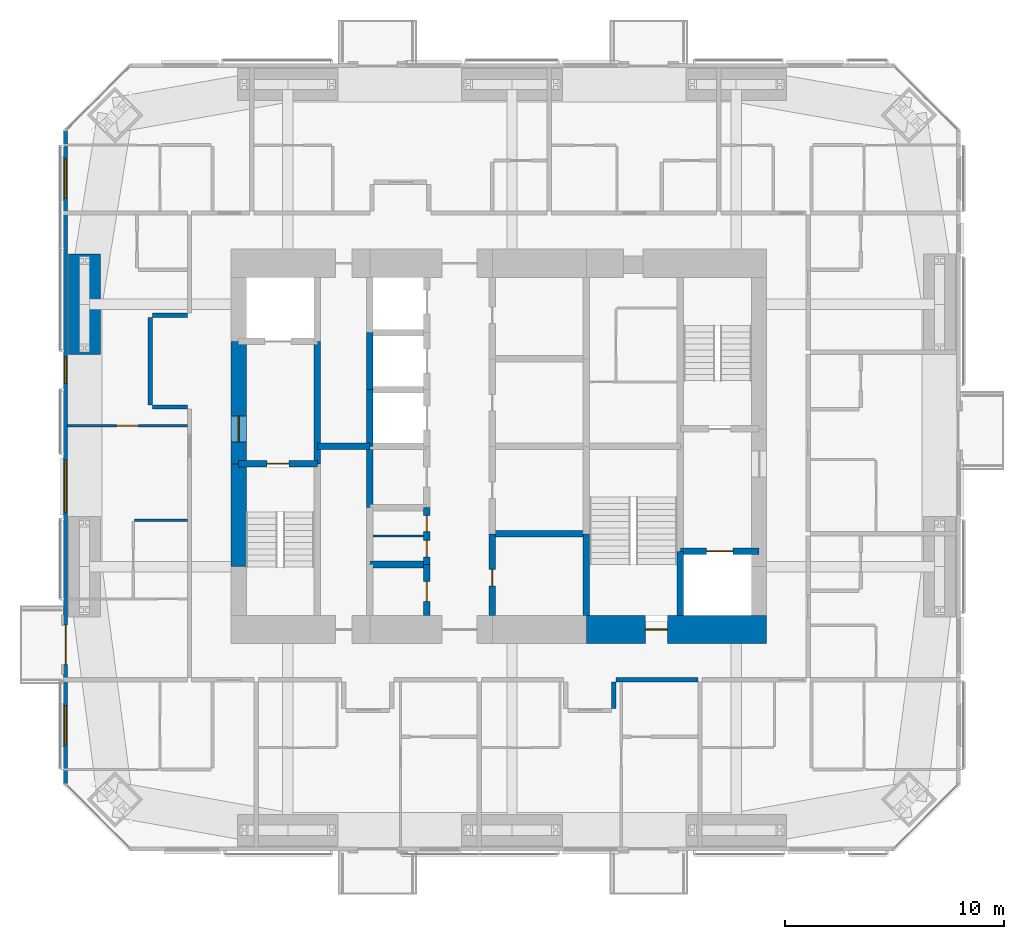
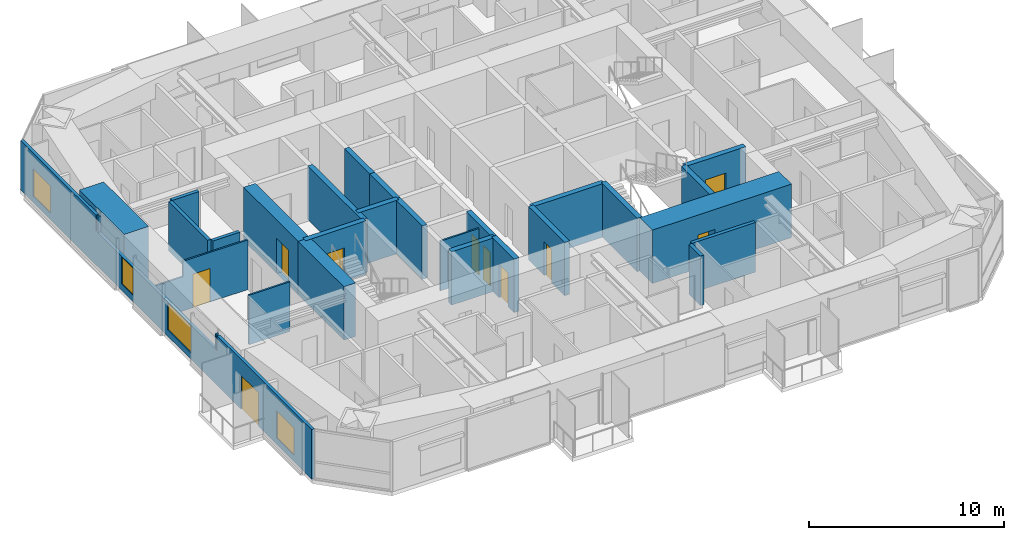
# One storey, part 17 of 23: 27 walls, 10 doors, 4 windows, 14 openings.
"""IFC4 building model written with IfcOpenShell, lengths in metres."""

from ifc_helpers import new_model, si_unit, direction, frame, frame_2d, origin, place, context, subcontext, project, spatial, polyline, rectangle, outline, extrude, material, layer, layer_set, constituent, constituent_set, type_object, element, fill, save


model = new_model("IFC4")

# Units and contexts
model_context = context("Model", 3, precision=1e-05, world=origin(), true_north=direction((0.0, 1.0)))
body_context = subcontext(model_context, "Body", "Model", "MODEL_VIEW")
ifc_project = project(units=[si_unit("LENGTHUNIT", "METRE"), si_unit("AREAUNIT", "SQUARE_METRE"), si_unit("VOLUMEUNIT", "CUBIC_METRE"), si_unit("PLANEANGLEUNIT", "RADIAN"), si_unit("MASSUNIT", "GRAM", prefix="KILO")], contexts=[model_context])

# Site, building, storey
site_placement = place(None, origin())
site = spatial("IfcSite", under=ifc_project, at=site_placement, CompositionType="ELEMENT")
building_placement = place(site_placement, origin())
building = spatial("IfcBuilding", under=site, at=building_placement, Name="Jalousie Tower", CompositionType="ELEMENT")
storey_placement = place(building_placement, frame((0.0, 0.0, 157.699951171875)))
storey = spatial("IfcBuildingStorey", under=building, at=storey_placement, Name="L42", CompositionType="ELEMENT", Elevation=157.699951171875)

# Wall, opening, door
ifc_material_1 = material(Name="Concrete f'c 120 MPa", Category="concrete")
ifc_layer_1 = layer(ifc_material_1, 1.300048828125)
ifc_layer_set_1 = layer_set([ifc_layer_1], Name="Concrete f'c 120 MPa")
wall_type_1 = type_object("IfcWallType", Name="CORE WALL 1300", PredefinedType="SHEAR", material=ifc_layer_set_1)
wall_1_placement = place(storey_placement, frame((35.89990234375, 10.125, 0.0), z_axis=(0.0, 0.0, 1.0), x_axis=(1.0, 0.0, 0.0)))
wall_1 = element("IfcWall", 1, at=wall_1_placement, inside=storey, type_object=wall_type_1, Name="Core wall SD L42", PredefinedType="SHEAR", context=body_context, shape_type="SweptSolid", body=[
    extrude(rectangle(XDim=8.25, YDim=1.300048828125, at=frame_2d((4.125, 0.0))), origin(), (0.0, 0.0, 1.0), 3.35009765625),
])
opening_1_placement = place(wall_1_placement, frame((2.699951171875, 0.0, 0.0)))
opening_1 = element("IfcOpeningElement", 2, at=opening_1_placement, cuts=wall_1, Name="Opening D10", PredefinedType="OPENING", context=body_context, shape_type="SweptSolid", body=[
    extrude(rectangle(XDim=1.0, YDim=2.10009765625, at=frame_2d((0.5, 1.050048828125))), frame((0.0, 0.659912109375, 0.0), z_axis=(0.0, -1.0, 0.0), x_axis=(1.0, 0.0, 0.0)), (0.0, 0.0, 1.0), 1.320068359375),
])
ifc_material_2 = material(Name="Steel fire door", Category="steel")
door_type_1 = type_object("IfcDoorType", Name="STAIR DOOR 1000", OperationType="SINGLE_SWING_LEFT", PredefinedType="DOOR", material=ifc_material_2)
door_1_placement = place(opening_1_placement, origin())
door_1 = element("IfcDoor", 3, at=door_1_placement, inside=storey, type_object=door_type_1, Name="Exit stair C door", OperationType="SINGLE_SWING_RIGHT", OverallHeight=2.10009765625, OverallWidth=1.0, PredefinedType="DOOR", context=body_context, shape_type="SweptSolid", body=[
    extrude(rectangle(XDim=1.0, YDim=2.10009765625, at=frame_2d((0.5, 1.050048828125))), frame((0.0, 0.02490234375, 0.0), z_axis=(0.0, -1.0, 0.0), x_axis=(1.0, 0.0, 0.0)), (0.0, 0.0, 1.0), 0.050048828125),
])
fill(opening_1, door_1)

# Walls
ifc_material_3 = material(Name="Concrete f'c 120 MPa", Category="concrete")
ifc_layer_2 = layer(ifc_material_3, 0.300048828125)
ifc_layer_set_2 = layer_set([ifc_layer_2], Name="Concrete f'c 120 MPa")
wall_type_2 = type_object("IfcWallType", Name="CORE WALL 300", PredefinedType="SHEAR", material=ifc_layer_set_2)
wall_2_placement = place(storey_placement, frame((23.60009765625, 17.699951171875, 0.0), z_axis=(0.0, 0.0, 1.0), x_axis=(0.0, 1.0, 0.0)))
element("IfcWall", 4, at=wall_2_placement, inside=storey, type_object=wall_type_2, Name="Core wall X23.6B L42", PredefinedType="SHEAR", context=body_context, shape_type="SweptSolid", body=[
    extrude(rectangle(XDim=5.60009765625, YDim=0.300048828125, at=frame_2d((2.800048828125, 0.0))), origin(), (0.0, 0.0, 1.0), 3.35009765625),
])
wall_3_placement = place(storey_placement, frame((26.0, 15.699951171875, 0.0), z_axis=(0.0, 0.0, 1.0), x_axis=(0.0, 1.0, 0.0)))
element("IfcWall", 5, at=wall_3_placement, inside=storey, type_object=wall_type_2, Name="Core wall X26C L42", PredefinedType="SHEAR", context=body_context, shape_type="SweptSolid", body=[
    extrude(rectangle(XDim=2.800048828125, YDim=0.300048828125, at=frame_2d((1.39990234375, 0.0))), origin(), (0.0, 0.0, 1.0), 3.35009765625),
])
wall_4_placement = place(storey_placement, frame((26.0, 18.5, 0.0), z_axis=(0.0, 0.0, 1.0), x_axis=(0.0, 1.0, 0.0)))
element("IfcWall", 6, at=wall_4_placement, inside=storey, type_object=wall_type_2, Name="Core wall X26D L42", PredefinedType="SHEAR", context=body_context, shape_type="SweptSolid", body=[
    extrude(rectangle(XDim=2.60009765625, YDim=0.300048828125, at=frame_2d((1.300048828125, 0.0))), origin(), (0.0, 0.0, 1.0), 3.35009765625),
])
wall_5_placement = place(storey_placement, frame((26.0, 21.10009765625, 0.0), z_axis=(0.0, 0.0, 1.0), x_axis=(0.0, 1.0, 0.0)))
element("IfcWall", 7, at=wall_5_placement, inside=storey, type_object=wall_type_2, Name="Core wall X26E L42", PredefinedType="SHEAR", context=body_context, shape_type="SweptSolid", body=[
    extrude(rectangle(XDim=2.599853515625, YDim=0.300048828125, at=frame_2d((1.2998046875, 0.0))), origin(), (0.0, 0.0, 1.0), 3.35009765625),
])

# Wall, opening, door
wall_6_placement = place(storey_placement, frame((28.60009765625, 10.77490234375, 0.0), z_axis=(0.0, 0.0, 1.0), x_axis=(0.0, 1.0, 0.0)))
wall_6 = element("IfcWall", 8, at=wall_6_placement, inside=storey, type_object=wall_type_2, Name="Core wall X28.6A L42", PredefinedType="SHEAR", context=body_context, shape_type="SweptSolid", body=[
    extrude(rectangle(XDim=2.3251953125, YDim=0.300048828125, at=frame_2d((1.16259765625, 0.0))), origin(), (0.0, 0.0, 1.0), 3.35009765625),
])
opening_2_placement = place(wall_6_placement, frame((0.637451171875, 0.0, 0.0)))
opening_2 = element("IfcOpeningElement", 9, at=opening_2_placement, cuts=wall_6, Name="Opening D24", PredefinedType="OPENING", context=body_context, shape_type="SweptSolid", body=[
    extrude(rectangle(XDim=0.89990234375, YDim=2.10009765625, at=frame_2d((0.449951171875, 1.050048828125))), frame((0.0, 0.159912109375, 0.0), z_axis=(0.0, -1.0, 0.0), x_axis=(1.0, 0.0, 0.0)), (0.0, 0.0, 1.0), 0.320068359375),
])
ifc_material_4 = material(Name="Steel fire door", Category="steel")
door_type_2 = type_object("IfcDoorType", Name="CORE ROOM DOOR 900", OperationType="SINGLE_SWING_LEFT", PredefinedType="DOOR", material=ifc_material_4)
door_2_placement = place(opening_2_placement, origin())
door_2 = element("IfcDoor", 10, at=door_2_placement, inside=storey, type_object=door_type_2, Name="Linen store door", OperationType="SINGLE_SWING_RIGHT", OverallHeight=2.10009765625, OverallWidth=0.89990234375, PredefinedType="DOOR", context=body_context, shape_type="SweptSolid", body=[
    extrude(rectangle(XDim=0.89990234375, YDim=2.10009765625, at=frame_2d((0.449951171875, 1.050048828125))), frame((0.0, 0.02490234375, 0.0), z_axis=(0.0, -1.0, 0.0), x_axis=(1.0, 0.0, 0.0)), (0.0, 0.0, 1.0), 0.050048828125),
])
fill(opening_2, door_2)

# Wall, openings, doors
wall_7_placement = place(storey_placement, frame((28.60009765625, 13.10009765625, 0.0), z_axis=(0.0, 0.0, 1.0), x_axis=(0.0, 1.0, 0.0)))
wall_7 = element("IfcWall", 11, at=wall_7_placement, inside=storey, type_object=wall_type_2, Name="Core wall X28.6B L42", PredefinedType="SHEAR", context=body_context, shape_type="SweptSolid", body=[
    extrude(rectangle(XDim=2.599853515625, YDim=0.300048828125, at=frame_2d((1.2998046875, 0.0))), origin(), (0.0, 0.0, 1.0), 3.35009765625),
])
opening_3_placement = place(wall_7_placement, frame((0.35009765625, 0.0, 0.0)))
opening_3 = element("IfcOpeningElement", 12, at=opening_3_placement, cuts=wall_7, Name="Opening D27", PredefinedType="OPENING", context=body_context, shape_type="SweptSolid", body=[
    extrude(rectangle(XDim=0.75, YDim=2.10009765625, at=frame_2d((0.375, 1.050048828125))), frame((0.0, 0.159912109375, 0.0), z_axis=(0.0, -1.0, 0.0), x_axis=(1.0, 0.0, 0.0)), (0.0, 0.0, 1.0), 0.320068359375),
])
opening_4_placement = place(wall_7_placement, frame((1.5, 0.0, 0.0)))
opening_4 = element("IfcOpeningElement", 13, at=opening_4_placement, cuts=wall_7, Name="Opening D27", PredefinedType="OPENING", context=body_context, shape_type="SweptSolid", body=[
    extrude(rectangle(XDim=0.75, YDim=2.10009765625, at=frame_2d((0.375, 1.050048828125))), frame((0.0, 0.159912109375, 0.0), z_axis=(0.0, -1.0, 0.0), x_axis=(1.0, 0.0, 0.0)), (0.0, 0.0, 1.0), 0.320068359375),
])
ifc_material_5 = material(Name="Steel fire door", Category="steel")
door_type_3 = type_object("IfcDoorType", Name="CORE ROOM DOOR 750", OperationType="SINGLE_SWING_LEFT", PredefinedType="DOOR", material=ifc_material_5)
door_3_placement = place(opening_3_placement, origin())
door_3 = element("IfcDoor", 14, at=door_3_placement, inside=storey, type_object=door_type_3, Name="Housekeeping store door", OperationType="SINGLE_SWING_RIGHT", OverallHeight=2.10009765625, OverallWidth=0.75, PredefinedType="DOOR", context=body_context, shape_type="SweptSolid", body=[
    extrude(rectangle(XDim=0.75, YDim=2.10009765625, at=frame_2d((0.375, 1.050048828125))), frame((0.0, 0.02490234375, 0.0), z_axis=(0.0, -1.0, 0.0), x_axis=(1.0, 0.0, 0.0)), (0.0, 0.0, 1.0), 0.050048828125),
])
fill(opening_3, door_3)
door_4_placement = place(opening_4_placement, origin())
door_4 = element("IfcDoor", 15, at=door_4_placement, inside=storey, type_object=door_type_3, Name="Staff WC door", OperationType="SINGLE_SWING_LEFT", OverallHeight=2.10009765625, OverallWidth=0.75, PredefinedType="DOOR", context=body_context, shape_type="SweptSolid", body=[
    extrude(rectangle(XDim=0.75, YDim=2.10009765625, at=frame_2d((0.375, 1.050048828125))), frame((0.0, 0.02490234375, 0.0), z_axis=(0.0, -1.0, 0.0), x_axis=(1.0, 0.0, 0.0)), (0.0, 0.0, 1.0), 0.050048828125),
])
fill(opening_4, door_4)

# Wall, opening, door
wall_8_placement = place(storey_placement, frame((31.60009765625, 10.77490234375, 0.0), z_axis=(0.0, 0.0, 1.0), x_axis=(0.0, 1.0, 0.0)))
wall_8 = element("IfcWall", 16, at=wall_8_placement, inside=storey, type_object=wall_type_2, Name="Core wall X31.6A L42", PredefinedType="SHEAR", context=body_context, shape_type="SweptSolid", body=[
    extrude(rectangle(XDim=3.72509765625, YDim=0.300048828125, at=frame_2d((1.862548828125, 0.0))), origin(), (0.0, 0.0, 1.0), 3.35009765625),
])
opening_5_placement = place(wall_8_placement, frame((1.35009765625, 0.0, 0.0)))
opening_5 = element("IfcOpeningElement", 17, at=opening_5_placement, cuts=wall_8, Name="Opening D16", PredefinedType="OPENING", context=body_context, shape_type="SweptSolid", body=[
    extrude(rectangle(XDim=0.75, YDim=2.10009765625, at=frame_2d((0.375, 1.050048828125))), frame((0.0, 0.159912109375, 0.0), z_axis=(0.0, -1.0, 0.0), x_axis=(1.0, 0.0, 0.0)), (0.0, 0.0, 1.0), 0.320068359375),
])
ifc_material_6 = material(Name="Steel fire door", Category="steel")
door_type_4 = type_object("IfcDoorType", Name="RISER DOOR 750", OperationType="SINGLE_SWING_LEFT", PredefinedType="DOOR", material=ifc_material_6)
door_5_placement = place(opening_5_placement, frame((0.75, 0.0, 0.0), z_axis=(0.0, 0.0, 1.0), x_axis=(-1.0, 0.0, 0.0)))
door_5 = element("IfcDoor", 18, at=door_5_placement, inside=storey, type_object=door_type_4, Name="Refuse Room door", OperationType="SINGLE_SWING_RIGHT", OverallHeight=2.10009765625, OverallWidth=0.75, PredefinedType="DOOR", context=body_context, shape_type="SweptSolid", body=[
    extrude(rectangle(XDim=0.75, YDim=2.10009765625, at=frame_2d((0.375, 1.050048828125))), frame((0.0, 0.02490234375, 0.0), z_axis=(0.0, -1.0, 0.0), x_axis=(1.0, 0.0, 0.0)), (0.0, 0.0, 1.0), 0.050048828125),
])
fill(opening_5, door_5)

# Walls
wall_9_placement = place(storey_placement, frame((35.89990234375, 10.77490234375, 0.0), z_axis=(0.0, 0.0, 1.0), x_axis=(0.0, 1.0, 0.0)))
element("IfcWall", 19, at=wall_9_placement, inside=storey, type_object=wall_type_2, Name="Core wall X35.9A L42", PredefinedType="SHEAR", context=body_context, shape_type="SweptSolid", body=[
    extrude(rectangle(XDim=3.72509765625, YDim=0.300048828125, at=frame_2d((1.862548828125, 0.0))), origin(), (0.0, 0.0, 1.0), 3.35009765625),
])
wall_10_placement = place(storey_placement, frame((40.199951171875, 10.77490234375, 0.0), z_axis=(0.0, 0.0, 1.0), x_axis=(0.0, 1.0, 0.0)))
element("IfcWall", 20, at=wall_10_placement, inside=storey, type_object=wall_type_2, Name="Core wall X40.2A L42", PredefinedType="SHEAR", context=body_context, shape_type="SweptSolid", body=[
    extrude(rectangle(XDim=2.925048828125, YDim=0.300048828125, at=frame_2d((1.46240234375, 0.0))), origin(), (0.0, 0.0, 1.0), 3.35009765625),
])

# Wall, opening, door
wall_11_placement = place(storey_placement, frame((20.0, 17.699951171875, 0.0), z_axis=(0.0, 0.0, 1.0), x_axis=(1.0, 0.0, 0.0)))
wall_11 = element("IfcWall", 21, at=wall_11_placement, inside=storey, type_object=wall_type_2, Name="Core wall Y20-17.7 L42", PredefinedType="SHEAR", context=body_context, shape_type="SweptSolid", body=[
    extrude(rectangle(XDim=3.60009765625, YDim=0.300048828125, at=frame_2d((1.800048828125, 0.0))), origin(), (0.0, 0.0, 1.0), 3.35009765625),
])
opening_6_placement = place(wall_11_placement, frame((1.300048828125, 0.0, 0.0)))
opening_6 = element("IfcOpeningElement", 22, at=opening_6_placement, cuts=wall_11, Name="Opening D10", PredefinedType="OPENING", context=body_context, shape_type="SweptSolid", body=[
    extrude(rectangle(XDim=1.0, YDim=2.10009765625, at=frame_2d((0.5, 1.050048828125))), frame((0.0, 0.159912109375, 0.0), z_axis=(0.0, -1.0, 0.0), x_axis=(1.0, 0.0, 0.0)), (0.0, 0.0, 1.0), 0.320068359375),
])
door_6_placement = place(opening_6_placement, frame((1.0, 0.0, 0.0), z_axis=(0.0, 0.0, 1.0), x_axis=(-1.0, 0.0, 0.0)))
door_6 = element("IfcDoor", 23, at=door_6_placement, inside=storey, type_object=door_type_1, Name="Exit stair A door", OperationType="SINGLE_SWING_RIGHT", OverallHeight=2.10009765625, OverallWidth=1.0, PredefinedType="DOOR", context=body_context, shape_type="SweptSolid", body=[
    extrude(rectangle(XDim=1.0, YDim=2.10009765625, at=frame_2d((0.5, 1.050048828125))), frame((0.0, 0.02490234375, 0.0), z_axis=(0.0, -1.0, 0.0), x_axis=(1.0, 0.0, 0.0)), (0.0, 0.0, 1.0), 0.050048828125),
])
fill(opening_6, door_6)

# Walls
wall_12_placement = place(storey_placement, frame((23.60009765625, 18.5, 0.0), z_axis=(0.0, 0.0, 1.0), x_axis=(1.0, 0.0, 0.0)))
element("IfcWall", 24, at=wall_12_placement, inside=storey, type_object=wall_type_2, Name="Core wall Y23.6-18.5 L42", PredefinedType="SHEAR", context=body_context, shape_type="SweptSolid", body=[
    extrude(rectangle(XDim=2.39990234375, YDim=0.300048828125, at=frame_2d((1.199951171875, 0.0))), origin(), (0.0, 0.0, 1.0), 3.35009765625),
])
wall_13_placement = place(storey_placement, frame((26.0, 13.10009765625, 0.0), z_axis=(0.0, 0.0, 1.0), x_axis=(1.0, 0.0, 0.0)))
element("IfcWall", 25, at=wall_13_placement, inside=storey, type_object=wall_type_2, Name="Core wall Y26-13.1 L42", PredefinedType="SHEAR", context=body_context, shape_type="SweptSolid", body=[
    extrude(rectangle(XDim=2.60009765625, YDim=0.300048828125, at=frame_2d((1.300048828125, 0.0))), origin(), (0.0, 0.0, 1.0), 3.35009765625),
])
wall_14_placement = place(storey_placement, frame((31.60009765625, 14.5, 0.0), z_axis=(0.0, 0.0, 1.0), x_axis=(1.0, 0.0, 0.0)))
element("IfcWall", 26, at=wall_14_placement, inside=storey, type_object=wall_type_2, Name="Core wall Y31.6-14.5 L42", PredefinedType="SHEAR", context=body_context, shape_type="SweptSolid", body=[
    extrude(rectangle(XDim=4.2998046875, YDim=0.300048828125, at=frame_2d((2.14990234375, 0.0))), origin(), (0.0, 0.0, 1.0), 3.35009765625),
])

# Wall, opening, door
wall_15_placement = place(storey_placement, frame((40.199951171875, 13.699951171875, 0.0), z_axis=(0.0, 0.0, 1.0), x_axis=(1.0, 0.0, 0.0)))
wall_15 = element("IfcWall", 27, at=wall_15_placement, inside=storey, type_object=wall_type_2, Name="Core wall Y40.2-13.7 L42", PredefinedType="SHEAR", context=body_context, shape_type="SweptSolid", body=[
    extrude(rectangle(XDim=3.60009765625, YDim=0.300048828125, at=frame_2d((1.800048828125, 0.0))), origin(), (0.0, 0.0, 1.0), 3.35009765625),
])
opening_7_placement = place(wall_15_placement, frame((1.199951171875, 0.0, 0.0)))
opening_7 = element("IfcOpeningElement", 28, at=opening_7_placement, cuts=wall_15, Name="Opening LD2", PredefinedType="OPENING", context=body_context, shape_type="SweptSolid", body=[
    extrude(rectangle(XDim=1.199951171875, YDim=2.10009765625, at=frame_2d((0.60009765625, 1.050048828125))), frame((0.0, 0.159912109375, 0.0), z_axis=(0.0, -1.0, 0.0), x_axis=(1.0, 0.0, 0.0)), (0.0, 0.0, 1.0), 0.320068359375),
])
ifc_material_7 = material(Name="Steel lift landing door", Category="steel")
door_type_5 = type_object("IfcDoorType", Name="LIFT LANDING DOOR 1200", OperationType="SLIDING_TO_LEFT", PredefinedType="DOOR", material=ifc_material_7)
door_7_placement = place(opening_7_placement, origin())
door_7 = element("IfcDoor", 29, at=door_7_placement, inside=storey, type_object=door_type_5, Name="Lift F2 landing door", OperationType="SLIDING_TO_LEFT", OverallHeight=2.10009765625, OverallWidth=1.199951171875, PredefinedType="DOOR", context=body_context, shape_type="SweptSolid", body=[
    extrude(rectangle(XDim=1.199951171875, YDim=2.10009765625, at=frame_2d((0.60009765625, 1.050048828125))), frame((0.0, 0.02490234375, 0.0), z_axis=(0.0, -1.0, 0.0), x_axis=(1.0, 0.0, 0.0)), (0.0, 0.0, 1.0), 0.050048828125),
])
fill(opening_7, door_7)

ifc_material_8 = material(Name="Concrete f'c 120 MPa", Category="concrete")
ifc_layer_3 = layer(ifc_material_8, 0.699951171875)
ifc_layer_set_3 = layer_set([ifc_layer_3], Name="Concrete f'c 120 MPa")
wall_type_3 = type_object("IfcWallType", Name="CORE WALL 700", PredefinedType="SHEAR", material=ifc_layer_set_3)
wall_16_placement = place(storey_placement, frame((20.0, 23.300048828125, 0.0), z_axis=(0.0, 0.0, 1.0), x_axis=(0.0, -1.0, 0.0)))
wall_16 = element("IfcWall", 30, at=wall_16_placement, inside=storey, type_object=wall_type_3, Name="Core wall WB L42", PredefinedType="SHEAR", context=body_context, shape_type="SweptSolid", body=[
    extrude(rectangle(XDim=5.60009765625, YDim=0.699951171875, at=frame_2d((2.800048828125, 0.0))), origin(), (0.0, 0.0, 1.0), 3.35009765625),
])
opening_8_placement = place(wall_16_placement, frame((3.39990234375, 0.0, 0.0)))
opening_8 = element("IfcOpeningElement", 31, at=opening_8_placement, cuts=wall_16, Name="Opening D11", PredefinedType="OPENING", context=body_context, shape_type="SweptSolid", body=[
    extrude(rectangle(XDim=1.199951171875, YDim=2.199951171875, at=frame_2d((0.60009765625, 1.10009765625))), frame((0.0, 0.35986328125, 0.0), z_axis=(0.0, -1.0, 0.0), x_axis=(1.0, 0.0, 0.0)), (0.0, 0.0, 1.0), 0.719970703125),
])
ifc_material_9 = material(Name="Steel fire door", Category="steel")
door_type_6 = type_object("IfcDoorType", Name="FIRE DOOR 1200", OperationType="SINGLE_SWING_LEFT", PredefinedType="DOOR", material=ifc_material_9)
door_8_placement = place(opening_8_placement, origin())
door_8 = element("IfcDoor", 32, at=door_8_placement, inside=storey, type_object=door_type_6, Name="Fire-fighting lobby A door", OperationType="SINGLE_SWING_RIGHT", OverallHeight=2.199951171875, OverallWidth=1.199951171875, PredefinedType="DOOR", context=body_context, shape_type="SweptSolid", body=[
    extrude(rectangle(XDim=1.199951171875, YDim=2.199951171875, at=frame_2d((0.60009765625, 1.10009765625))), frame((0.0, 0.02490234375, 0.0), z_axis=(0.0, -1.0, 0.0), x_axis=(1.0, 0.0, 0.0)), (0.0, 0.0, 1.0), 0.050048828125),
])
fill(opening_8, door_8)

# Walls
wall_17_placement = place(storey_placement, frame((20.0, 17.699951171875, 0.0), z_axis=(0.0, 0.0, 1.0), x_axis=(0.0, -1.0, 0.0)))
element("IfcWall", 33, at=wall_17_placement, inside=storey, type_object=wall_type_3, Name="Core wall WC L42", PredefinedType="SHEAR", context=body_context, shape_type="SweptSolid", body=[
    extrude(rectangle(XDim=4.699951171875, YDim=0.699951171875, at=frame_2d((2.35009765625, 0.0))), origin(), (0.0, 0.0, 1.0), 3.35009765625),
])
ifc_material_10 = material(Name="Concrete block ASTM C90", Category="concrete")
ifc_constituent_1 = constituent(ifc_material_10, Name="Body")
ifc_material_11 = material(Name="Render")
ifc_constituent_2 = constituent(ifc_material_11, Name="Finish")
ifc_constituent_set_1 = constituent_set(constituents=[ifc_constituent_1, ifc_constituent_2])
wall_type_4 = type_object("IfcWallType", Name="CORRIDOR WALL 200", PredefinedType="PARTITIONING", material=ifc_constituent_set_1)
wall_18_placement = place(storey_placement, frame((37.25, 7.824951171875, 0.0), z_axis=(0.0, 0.0, 1.0), x_axis=(1.0, 0.0, 0.0)))
element("IfcWall", 34, at=wall_18_placement, inside=storey, type_object=wall_type_4, Name="Corridor Wall 200 L42", PredefinedType="PARTITIONING", context=body_context, shape_type="SweptSolid", body=[
    extrude(rectangle(XDim=3.75, YDim=0.199951171875, at=frame_2d((1.875, 0.0))), origin(), (0.0, 0.0, 1.0), 3.110107421875),
])
wall_19_placement = place(storey_placement, frame((37.14990234375, 7.72509765625, 0.0), z_axis=(0.0, 0.0, 1.0), x_axis=(0.0, -1.0, 0.0)))
element("IfcWall", 35, at=wall_19_placement, inside=storey, type_object=wall_type_4, Name="Corridor Wall 200 L42", PredefinedType="PARTITIONING", context=body_context, shape_type="SweptSolid", body=[
    extrude(rectangle(XDim=1.2001953125, YDim=0.199951171875, at=frame_2d((0.60009765625, 0.0))), origin(), (0.0, 0.0, 1.0), 3.110107421875),
])
wall_20_placement = place(storey_placement, frame((15.949951171875, 20.39990234375, 0.0), z_axis=(0.0, 0.0, 1.0), x_axis=(0.0, 1.0, 0.0)))
element("IfcWall", 36, at=wall_20_placement, inside=storey, type_object=wall_type_4, Name="Corridor Wall 200 L42", PredefinedType="PARTITIONING", context=body_context, shape_type="SweptSolid", body=[
    extrude(rectangle(XDim=4.0, YDim=0.199951171875, at=frame_2d((2.0, 0.0))), origin(), (0.0, 0.0, 1.0), 3.110107421875),
])
for number, where, z_axis, x_axis, name in (
    (37, (17.64990234375, 20.300048828125, 0.0), (0.0, 0.0, 1.0), (-1.0, 0.0, 0.0), "Corridor Wall 200 L42"),
    (38, (17.64990234375, 24.5, 0.0), (0.0, 0.0, 1.0), (-1.0, 0.0, 0.0), "Corridor Wall 200 L42"),
):
    element("IfcWall", number, at=place(storey_placement, frame(where, z_axis=z_axis, x_axis=x_axis)), inside=storey, type_object=wall_type_4, Name=name, PredefinedType="PARTITIONING", context=body_context, shape_type="SweptSolid", body=[
        extrude(rectangle(XDim=1.599853515625, YDim=0.199951171875, at=frame_2d((0.7998046875, 0.0))), origin(), (0.0, 0.0, 1.0), 3.110107421875),
    ])

# Wall, openings, door, windows
ifc_material_12 = material(Name="Concrete f'c 40 MPa", Category="concrete")
ifc_constituent_3 = constituent(ifc_material_12, Name="Body")
ifc_material_13 = material(Name="Render, pastel lemon")
ifc_constituent_4 = constituent(ifc_material_13, Name="Finish")
ifc_constituent_set_2 = constituent_set(constituents=[ifc_constituent_3, ifc_constituent_4])
wall_type_5 = type_object("IfcWallType", Name="EXTERNAL WALL 175 LEMON RENDER", PredefinedType="SOLIDWALL", material=ifc_constituent_set_2)
wall_21_placement = place(storey_placement, frame((12.08740234375, 32.94873046875, 0.0), z_axis=(0.0, 0.0, 1.0), x_axis=(0.0, -1.0, 0.0)))
wall_21 = element("IfcWall", 39, at=wall_21_placement, inside=storey, type_object=wall_type_5, Name="External Wall 175 Lemon Render L42", PredefinedType="SOLIDWALL", context=body_context, shape_type="SweptSolid", body=[
    extrude(outline(polyline([(0.0, 0.0), (29.8974609375, 0.0), (29.8974609375, 3.110107421875), (20.19140625, 3.110107421875), (20.19140625, 2.150146484375), (20.050537109375, 2.150146484375), (20.050537109375, 3.110107421875), (19.94873046875, 3.110107421875), (19.94873046875, 2.150146484375), (7.94873046875, 2.150146484375), (7.94873046875, 3.110107421875), (7.823486328125, 3.110107421875), (7.823486328125, 2.150146484375), (7.729736328125, 2.150146484375), (7.729736328125, 3.110107421875), (0.0, 3.110107421875), (0.0, 0.0)])), frame((0.0, 0.08740234375, 0.0), z_axis=(0.0, -1.0, 0.0), x_axis=(1.0, 0.0, 0.0)), (0.0, 0.0, 1.0), 0.175048828125),
])
opening_9_placement = place(wall_21_placement, frame((1.296875, 0.0, 0.39990234375)))
opening_9 = element("IfcOpeningElement", 40, at=opening_9_placement, cuts=wall_21, Name="Opening W-BED170", PredefinedType="OPENING", context=body_context, shape_type="SweptSolid", body=[
    extrude(rectangle(XDim=1.800048828125, YDim=1.699951171875, at=frame_2d((0.89990234375, 0.85009765625))), frame((0.0, 0.097412109375, 0.0), z_axis=(0.0, -1.0, 0.0), x_axis=(1.0, 0.0, 0.0)), (0.0, 0.0, 1.0), 0.195068359375),
])
opening_10_placement = place(wall_21_placement, frame((10.36669921875, 0.0, 0.39990234375)))
opening_10 = element("IfcOpeningElement", 41, at=opening_10_placement, cuts=wall_21, Name="Opening W-COR170", PredefinedType="OPENING", context=body_context, shape_type="SweptSolid", body=[
    extrude(rectangle(XDim=1.199951171875, YDim=1.699951171875, at=frame_2d((0.60009765625, 0.85009765625))), frame((0.0, 0.097412109375, 0.0), z_axis=(0.0, -1.0, 0.0), x_axis=(1.0, 0.0, 0.0)), (0.0, 0.0, 1.0), 0.195068359375),
])
opening_11_placement = place(wall_21_placement, frame((15.082763671875, 0.0, 0.39990234375)))
opening_11 = element("IfcOpeningElement", 42, at=opening_11_placement, cuts=wall_21, Name="Opening W-LIV170", PredefinedType="OPENING", context=body_context, shape_type="SweptSolid", body=[
    extrude(rectangle(XDim=2.39990234375, YDim=1.699951171875, at=frame_2d((1.199951171875, 0.85009765625))), frame((0.0, 0.097412109375, 0.0), z_axis=(0.0, -1.0, 0.0), x_axis=(1.0, 0.0, 0.0)), (0.0, 0.0, 1.0), 0.195068359375),
])
opening_12_placement = place(wall_21_placement, frame((22.623779296875, 0.0, 0.0)))
opening_12 = element("IfcOpeningElement", 43, at=opening_12_placement, cuts=wall_21, Name="Opening D-BAL21", PredefinedType="OPENING", context=body_context, shape_type="SweptSolid", body=[
    extrude(rectangle(XDim=1.800048828125, YDim=2.10009765625, at=frame_2d((0.89990234375, 1.050048828125))), frame((0.0, 0.097412109375, 0.0), z_axis=(0.0, -1.0, 0.0), x_axis=(1.0, 0.0, 0.0)), (0.0, 0.0, 1.0), 0.195068359375),
])
opening_13_placement = place(wall_21_placement, frame((26.300537109375, 0.0, 0.39990234375)))
opening_13 = element("IfcOpeningElement", 44, at=opening_13_placement, cuts=wall_21, Name="Opening W-BED170", PredefinedType="OPENING", context=body_context, shape_type="SweptSolid", body=[
    extrude(rectangle(XDim=1.800048828125, YDim=1.699951171875, at=frame_2d((0.89990234375, 0.85009765625))), frame((0.0, 0.097412109375, 0.0), z_axis=(0.0, -1.0, 0.0), x_axis=(1.0, 0.0, 0.0)), (0.0, 0.0, 1.0), 0.195068359375),
])
ifc_material_14 = material(Name="Aluminium frame, impact-rated glazing", Category="aluminium")
door_type_7 = type_object("IfcDoorType", Name="BALCONY DOOR 1800x2100", OperationType="SLIDING_TO_LEFT", PredefinedType="DOOR", material=ifc_material_14)
door_9_placement = place(opening_12_placement, origin())
door_9 = element("IfcDoor", 45, at=door_9_placement, inside=storey, type_object=door_type_7, Name="Apartment 4209 bedroom 1 balcony door", OperationType="SLIDING_TO_LEFT", OverallHeight=2.10009765625, OverallWidth=1.800048828125, PredefinedType="DOOR", context=body_context, shape_type="SweptSolid", body=[
    extrude(rectangle(XDim=1.800048828125, YDim=2.10009765625, at=frame_2d((0.89990234375, 1.050048828125))), frame((0.0, 0.02490234375, 0.0), z_axis=(0.0, -1.0, 0.0), x_axis=(1.0, 0.0, 0.0)), (0.0, 0.0, 1.0), 0.050048828125),
])
fill(opening_12, door_9)
ifc_material_15 = material(Name="Aluminium frame, impact-rated glazing", Category="aluminium")
window_type_1 = type_object("IfcWindowType", Name="WINDOW BED 1800x1700", PartitioningType="SINGLE_PANEL", PredefinedType="WINDOW", material=ifc_material_15)
window_1_placement = place(opening_9_placement, origin())
window_1 = element("IfcWindow", 46, at=window_1_placement, inside=storey, type_object=window_type_1, Name="Apartment 4205 bedroom 1 window", OverallHeight=1.699951171875, OverallWidth=1.800048828125, PartitioningType="SINGLE_PANEL", PredefinedType="WINDOW", context=body_context, shape_type="SweptSolid", body=[
    extrude(rectangle(XDim=1.800048828125, YDim=1.699951171875, at=frame_2d((0.89990234375, 0.85009765625))), frame((0.0, 0.030029296875, 0.0), z_axis=(0.0, -1.0, 0.0), x_axis=(1.0, 0.0, 0.0)), (0.0, 0.0, 1.0), 0.06005859375),
])
fill(opening_9, window_1)
window_2_placement = place(opening_13_placement, origin())
window_2 = element("IfcWindow", 47, at=window_2_placement, inside=storey, type_object=window_type_1, Name="Apartment 4201 bedroom 1 window", OverallHeight=1.699951171875, OverallWidth=1.800048828125, PartitioningType="SINGLE_PANEL", PredefinedType="WINDOW", context=body_context, shape_type="SweptSolid", body=[
    extrude(rectangle(XDim=1.800048828125, YDim=1.699951171875, at=frame_2d((0.89990234375, 0.85009765625))), frame((0.0, 0.030029296875, 0.0), z_axis=(0.0, -1.0, 0.0), x_axis=(1.0, 0.0, 0.0)), (0.0, 0.0, 1.0), 0.06005859375),
])
fill(opening_13, window_2)
ifc_material_16 = material(Name="Aluminium frame, impact-rated glazing", Category="aluminium")
window_type_2 = type_object("IfcWindowType", Name="WINDOW COR 1200x1700", PartitioningType="SINGLE_PANEL", PredefinedType="WINDOW", material=ifc_material_16)
window_3_placement = place(opening_10_placement, origin())
window_3 = element("IfcWindow", 48, at=window_3_placement, inside=storey, type_object=window_type_2, Name="Apartment 4209 dining room window", OverallHeight=1.699951171875, OverallWidth=1.199951171875, PartitioningType="SINGLE_PANEL", PredefinedType="WINDOW", context=body_context, shape_type="SweptSolid", body=[
    extrude(rectangle(XDim=1.199951171875, YDim=1.699951171875, at=frame_2d((0.60009765625, 0.85009765625))), frame((0.0, 0.030029296875, 0.0), z_axis=(0.0, -1.0, 0.0), x_axis=(1.0, 0.0, 0.0)), (0.0, 0.0, 1.0), 0.06005859375),
])
fill(opening_10, window_3)
ifc_material_17 = material(Name="Aluminium frame, impact-rated glazing", Category="aluminium")
window_type_3 = type_object("IfcWindowType", Name="WINDOW LIV 2400x1700", PartitioningType="DOUBLE_PANEL_VERTICAL", PredefinedType="WINDOW", material=ifc_material_17)
window_4_placement = place(opening_11_placement, origin())
window_4 = element("IfcWindow", 49, at=window_4_placement, inside=storey, type_object=window_type_3, Name="Apartment 4209 living room window", OverallHeight=1.699951171875, OverallWidth=2.39990234375, PartitioningType="SINGLE_PANEL", PredefinedType="WINDOW", context=body_context, shape_type="SweptSolid", body=[
    extrude(rectangle(XDim=2.39990234375, YDim=1.699951171875, at=frame_2d((1.199951171875, 0.85009765625))), frame((0.0, 0.030029296875, 0.0), z_axis=(0.0, -1.0, 0.0), x_axis=(1.0, 0.0, 0.0)), (0.0, 0.0, 1.0), 0.06005859375),
])
fill(opening_11, window_4)

# Wall
ifc_material_18 = material(Name="Gypsum board", Category="gypsum")
ifc_constituent_5 = constituent(ifc_material_18, Name="Body")
ifc_material_19 = material(Name="Light-gauge steel studs ASTM A653 SS Grade 33", Category="steel")
ifc_constituent_6 = constituent(ifc_material_19, Name="Framing")
ifc_constituent_set_3 = constituent_set(constituents=[ifc_constituent_5, ifc_constituent_6])
wall_type_6 = type_object("IfcWallType", Name="PARTITION 100", PredefinedType="PARTITIONING", material=ifc_constituent_set_3)
wall_22_placement = place(storey_placement, frame((15.22509765625, 15.125, 0.0), z_axis=(0.0, 0.0, 1.0), x_axis=(1.0, 0.0, 0.0)))
element("IfcWall", 50, at=wall_22_placement, inside=storey, type_object=wall_type_6, Name="Partition 100 L42", PredefinedType="PARTITIONING", context=body_context, shape_type="SweptSolid", body=[
    extrude(rectangle(XDim=2.4248046875, YDim=0.10009765625, at=frame_2d((1.21240234375, 0.0))), origin(), (0.0, 0.0, 1.0), 3.110107421875),
])

# Wall, opening, door
wall_23_placement = place(storey_placement, frame((12.175048828125, 19.4462890625, 0.0), z_axis=(0.0, 0.0, 1.0), x_axis=(1.0, 0.0, 0.0)))
wall_23 = element("IfcWall", 51, at=wall_23_placement, inside=storey, type_object=wall_type_6, Name="Partition 100 L42", PredefinedType="PARTITIONING", context=body_context, shape_type="SweptSolid", body=[
    extrude(outline(polyline([(0.0, 0.0), (5.474853515625, 0.0), (5.47509765625, 3.110107421875), (1.635009765625, 3.110107421875), (1.635009765625, 2.150146484375), (0.0, 2.150146484375), (0.0, 3.110107421875), (0.0, 0.0)])), frame((0.0, 0.050048828125, 0.0), z_axis=(0.0, -1.0, 0.0), x_axis=(1.0, 0.0, 0.0)), (0.0, 0.0, 1.0), 0.10009765625),
])
opening_14_placement = place(wall_23_placement, frame((2.237548828125, 0.0, 0.0)))
opening_14 = element("IfcOpeningElement", 52, at=opening_14_placement, cuts=wall_23, Name="Opening D6", PredefinedType="OPENING", context=body_context, shape_type="SweptSolid", body=[
    extrude(rectangle(XDim=1.0, YDim=2.10009765625, at=frame_2d((0.5, 1.050048828125))), frame((0.0, 0.06005859375, 0.0), z_axis=(0.0, -1.0, 0.0), x_axis=(1.0, 0.0, 0.0)), (0.0, 0.0, 1.0), 0.1201171875),
])
ifc_material_20 = material(Name="Timber door", Category="wood")
door_type_8 = type_object("IfcDoorType", Name="INTERNAL DOOR 1000", OperationType="SINGLE_SWING_LEFT", PredefinedType="DOOR", material=ifc_material_20)
door_10_placement = place(opening_14_placement, origin())
door_10 = element("IfcDoor", 53, at=door_10_placement, inside=storey, type_object=door_type_8, Name="Apartment 4209 dining room door", OperationType="SINGLE_SWING_RIGHT", OverallHeight=2.10009765625, OverallWidth=1.0, PredefinedType="DOOR", context=body_context, shape_type="SweptSolid", body=[
    extrude(rectangle(XDim=1.0, YDim=2.10009765625, at=frame_2d((0.5, 1.050048828125))), frame((0.0, 0.02490234375, 0.0), z_axis=(0.0, -1.0, 0.0), x_axis=(1.0, 0.0, 0.0)), (0.0, 0.0, 1.0), 0.050048828125),
])
fill(opening_14, door_10)

# Walls
wall_24_placement = place(storey_placement, frame((26.14990234375, 14.39990234375, 0.0), z_axis=(0.0, 0.0, 1.0), x_axis=(1.0, 0.0, 0.0)))
element("IfcWall", 54, at=wall_24_placement, inside=storey, type_object=wall_type_6, Name="Partition 100 L42", PredefinedType="PARTITIONING", context=body_context, shape_type="SweptSolid", body=[
    extrude(rectangle(XDim=2.300048828125, YDim=0.10009765625, at=frame_2d((1.14990234375, 0.0))), origin(), (0.0, 0.0, 1.0), 3.110107421875),
])
ifc_material_21 = material(Name="Concrete f'c 120 MPa", Category="concrete")
ifc_layer_4 = layer(ifc_material_21, 1.449951171875)
ifc_layer_set_4 = layer_set([ifc_layer_4], Name="Concrete f'c 120 MPa")
wall_type_7 = type_object("IfcWallType", Name="RC WALL PIER 1450", PredefinedType="SHEAR", material=ifc_layer_set_4)
wall_25_placement = place(storey_placement, frame((12.949951171875, 22.699951171875, 0.0), z_axis=(0.0, 0.0, 1.0), x_axis=(0.0, 1.0, 0.0)))
element("IfcWall", 55, at=wall_25_placement, inside=storey, type_object=wall_type_7, Name="Wall pier 13 L42", PredefinedType="SHEAR", context=body_context, shape_type="SweptSolid", body=[
    extrude(rectangle(XDim=4.60009765625, YDim=1.449951171875, at=frame_2d((2.300048828125, 0.0))), origin(), (0.0, 0.0, 1.0), 3.35009765625),
])

save(model, "model.ifc")
